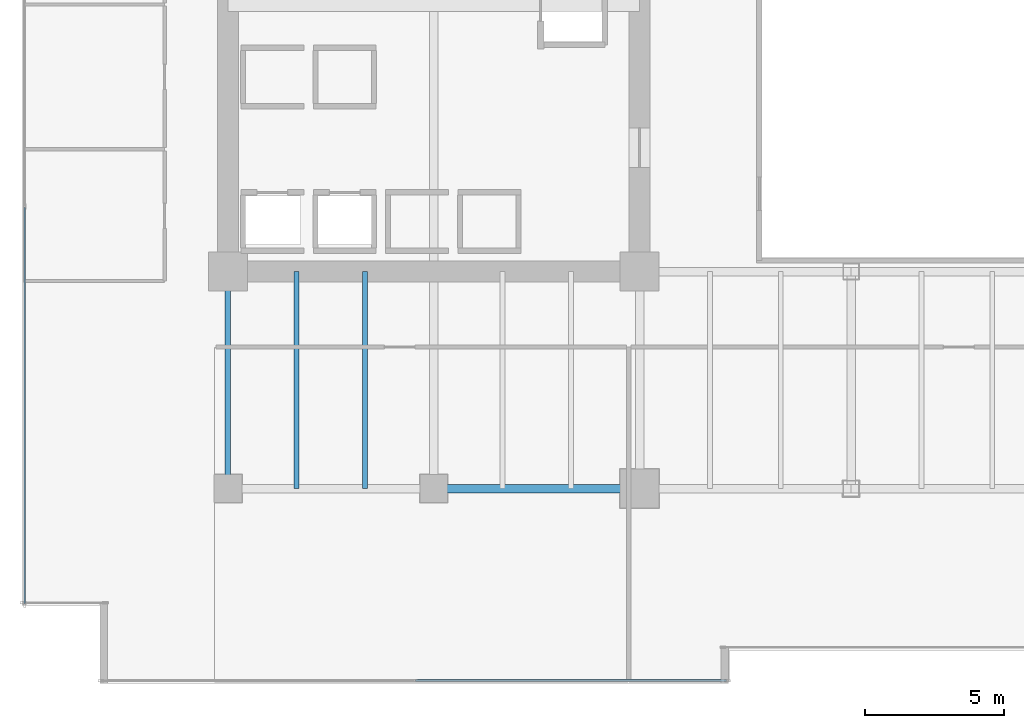
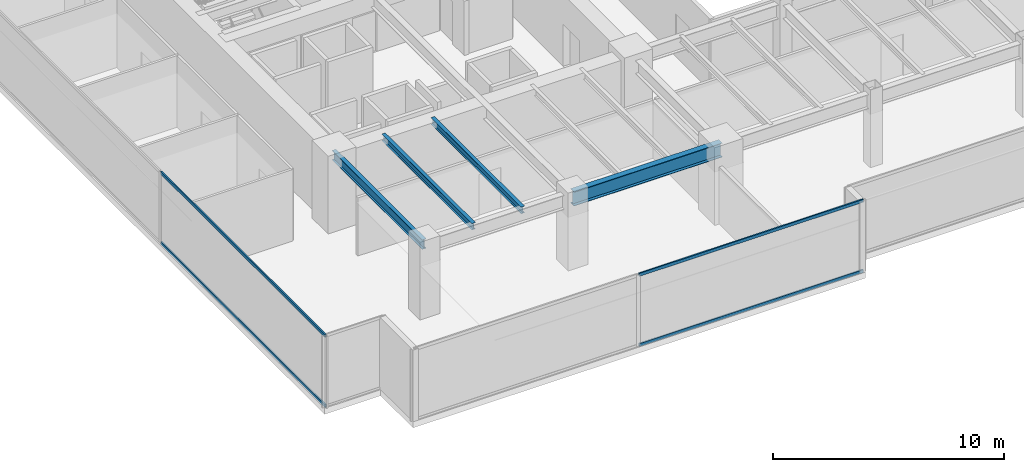
# One storey, part 3 of 36: 4 beams, 4 members, 2 elements without a shape of their own.
"""IFC4 building model written with IfcOpenShell, lengths in metres."""

from ifc_helpers import new_model, si_unit, direction, frame, origin, origin_2d, place, context, subcontext, project, spatial, hollow_rectangle, i_section, extrude, source, transform, mapped, material, layer, layer_set, material_profile, profile_set, type_object, type_shapes, element, aggregate, save


model = new_model("IFC4")

# Units and contexts
model_context = context("Model", 3, precision=1e-05, world=origin(), true_north=direction((0.0, 1.0)))
body_context = subcontext(model_context, "Body", "Model", "MODEL_VIEW")
ifc_project = project(units=[si_unit("LENGTHUNIT", "METRE"), si_unit("AREAUNIT", "SQUARE_METRE"), si_unit("VOLUMEUNIT", "CUBIC_METRE"), si_unit("PLANEANGLEUNIT", "RADIAN"), si_unit("MASSUNIT", "GRAM", prefix="KILO")], contexts=[model_context])

# Site, building, storey
site_placement = place(None, origin())
site = spatial("IfcSite", under=ifc_project, at=site_placement, CompositionType="ELEMENT")
building_placement = place(site_placement, origin())
building = spatial("IfcBuilding", under=site, at=building_placement, Name="Haelvirn Gate Laboratories", CompositionType="ELEMENT")
storey_placement = place(building_placement, frame((0.0, 0.0, 53.89990234375)))
storey = spatial("IfcBuildingStorey", under=building, at=storey_placement, Name="L13", CompositionType="ELEMENT", Elevation=53.89990234375)

# Beams
ifc_material_1 = material(Name="Steel SM355", Category="steel")
ifc_material_profile_1 = material_profile(ifc_material_1, i_section(OverallWidth=0.300048828125, OverallDepth=0.75, WebThickness=0.013916015625, FlangeThickness=0.02392578125, at=origin_2d()), Name="H-750x300x14x24")
ifc_profile_set_1 = profile_set([ifc_material_profile_1], Name="Steel SM355")
beam_type_1 = type_object("IfcBeamType", Name="BM-G-750", PredefinedType="BEAM", material=ifc_profile_set_1)
shared_shape_1 = source(origin(), body_context, "Body", "SweptSolid", [
    extrude(i_section(OverallWidth=0.300048828125, OverallDepth=0.75, WebThickness=0.013916015625, FlangeThickness=0.02392578125, at=origin_2d()), origin(), (0.0, 0.0, 1.0), 7.39990234375),
])
type_shapes(beam_type_1, [shared_shape_1])
beam_1_placement = place(storey_placement, frame((14.800048828125, 7.0, 3.405029296875), z_axis=(1.0, 0.0, 0.0), x_axis=(0.0, 1.0, 0.0)))
element("IfcBeam", 1, at=beam_1_placement, inside=storey, type_object=beam_type_1, Name="L13 Primary Girder Y7.0 (14.8-22.2)", PredefinedType="BEAM", context=body_context, shape_type="MappedRepresentation", body=[
    mapped(shared_shape_1, transform((0.0, 0.0, 0.0), scale=1.0)),
])
ifc_material_profile_2 = material_profile(ifc_material_1, i_section(OverallWidth=0.199951171875, OverallDepth=0.5, WebThickness=0.010009765625, FlangeThickness=0.01611328125, at=origin_2d()), Name="H-500x200x10x16")
ifc_profile_set_2 = profile_set([ifc_material_profile_2], Name="Steel SM355")
beam_type_2 = type_object("IfcBeamType", Name="BM-SP-500", PredefinedType="SPANDREL", material=ifc_profile_set_2)
shared_shape_2 = source(origin(), body_context, "Body", "SweptSolid", [
    extrude(i_section(OverallWidth=0.199951171875, OverallDepth=0.5, WebThickness=0.010009765625, FlangeThickness=0.01611328125, at=origin_2d()), origin(), (0.0, 0.0, 1.0), 7.800048828125),
])
type_shapes(beam_type_2, [shared_shape_2])
beam_2_placement = place(storey_placement, frame((7.39990234375, 7.0, 3.530029296875), z_axis=(0.0, 1.0, 0.0), x_axis=(-1.0, 0.0, 0.0)))
element("IfcBeam", 2, at=beam_2_placement, inside=storey, type_object=beam_type_2, Name="L13 Perimeter Spandrel X7.4 (7.0-14.8)", PredefinedType="SPANDREL", context=body_context, shape_type="MappedRepresentation", body=[
    mapped(shared_shape_2, transform((0.0, 0.0, 0.0), scale=1.0)),
])
ifc_material_profile_3 = material_profile(ifc_material_1, i_section(OverallWidth=0.175048828125, OverallDepth=0.35009765625, WebThickness=0.007080078125, FlangeThickness=0.010986328125, at=origin_2d()), Name="H-350x175x7x11")
ifc_profile_set_3 = profile_set([ifc_material_profile_3], Name="Steel SM355")
beam_type_3 = type_object("IfcBeamType", Name="BM-J-350", PredefinedType="JOIST", material=ifc_profile_set_3)
shared_shape_3 = source(origin(), body_context, "Body", "SweptSolid", [
    extrude(i_section(OverallWidth=0.175048828125, OverallDepth=0.35009765625, WebThickness=0.007080078125, FlangeThickness=0.010986328125, at=origin_2d()), origin(), (0.0, 0.0, 1.0), 7.800048828125),
])
type_shapes(beam_type_3, [shared_shape_3])
for number, where, z_axis, x_axis, name in (
    (3, (9.8701171875, 7.0, 3.60498046875), (0.0, 1.0, 0.0), (-1.0, 0.0, 0.0), "L13 Composite Lab Joist South X9.87"),
    (4, (12.330078125, 7.0, 3.60498046875), (0.0, 1.0, 0.0), (-1.0, 0.0, 0.0), "L13 Composite Lab Joist South X12.33"),
):
    element("IfcBeam", number, at=place(storey_placement, frame(where, z_axis=z_axis, x_axis=x_axis)), inside=storey, type_object=beam_type_3, Name=name, PredefinedType="JOIST", context=body_context, shape_type="MappedRepresentation", body=[
        mapped(shared_shape_3, transform((0.0, 0.0, 0.0), scale=1.0)),
    ])

# Curtain wall, members
ifc_material_2 = material(Name="Anodised bronze unitised aluminium & triple low-E glass", Category="aluminium")
ifc_layer = layer(ifc_material_2, 0.18408203125, Name="CW-SYS-2")
ifc_layer_set = layer_set([ifc_layer], Name="Anodised bronze unitised aluminium & triple low-E glass")
curtain_wall_type = type_object("IfcCurtainWallType", Name="CW-SYS-2", PredefinedType="NOTDEFINED", material=ifc_layer_set)
curtain_wall_1_placement = place(storey_placement, origin())
curtain_wall_1 = element("IfcCurtainWall", 5, at=curtain_wall_1_placement, inside=storey, type_object=curtain_wall_type, Name="L13 Unitised Curtain Wall CW-L13-P0-E00-1", PredefinedType="NOTDEFINED")
ifc_material_3 = material(Name="Extruded aluminium 6063-T6 (anodised bronze)", Category="aluminium")
ifc_material_profile_4 = material_profile(ifc_material_3, hollow_rectangle(XDim=0.070068359375, YDim=0.159912109375, WallThickness=0.0048828125, at=origin_2d()), Name="CWT-160x70x5")
ifc_profile_set_4 = profile_set([ifc_material_profile_4], Name="Extruded aluminium 6063-T6 (anodised bronze)")
member_type = type_object("IfcMemberType", Name="CWT-T160", PredefinedType="USERDEFINED", material=ifc_profile_set_4)
shared_shape_4 = source(origin(), body_context, "Body", "SweptSolid", [
    extrude(hollow_rectangle(XDim=0.070068359375, YDim=0.159912109375, WallThickness=0.0048828125, at=origin_2d()), origin(), (0.0, 0.0, 1.0), 11.1875),
])
member_1_placement = place(storey_placement, frame((14.137451171875, 0.10009765625, 0.03515625), z_axis=(1.0, 0.0, 0.0), x_axis=(0.0, 1.0, 0.0)))
member_1 = element("IfcMember", 6, at=member_1_placement, type_object=member_type, Name="CW2 transom 2.1", ObjectType="TRANSOM", PredefinedType="USERDEFINED", context=body_context, shape_type="MappedRepresentation", body=[
    mapped(shared_shape_4, transform((0.0, 0.0, 0.0), scale=1.0)),
])
member_2_placement = place(storey_placement, frame((14.137451171875, 0.10009765625, 3.7451171875), z_axis=(1.0, 0.0, 0.0), x_axis=(0.0, 1.0, 0.0)))
member_2 = element("IfcMember", 7, at=member_2_placement, type_object=member_type, Name="CW2 transom 2.2", ObjectType="TRANSOM", PredefinedType="USERDEFINED", context=body_context, shape_type="MappedRepresentation", body=[
    mapped(shared_shape_4, transform((0.0, 0.0, 0.0), scale=1.0)),
])
aggregate(curtain_wall_1, [member_1, member_2])

curtain_wall_2_placement = place(storey_placement, origin())
curtain_wall_2 = element("IfcCurtainWall", 8, at=curtain_wall_2_placement, inside=storey, type_object=curtain_wall_type, Name="L13 Unitised Curtain Wall CW-L13-P0-E17", PredefinedType="NOTDEFINED")
shared_shape_5 = source(origin(), body_context, "Body", "SweptSolid", [
    extrude(hollow_rectangle(XDim=0.070068359375, YDim=0.159912109375, WallThickness=0.0048828125, at=origin_2d()), origin(), (0.0, 0.0, 1.0), 14.220947265625),
])
type_shapes(member_type, [shared_shape_4, shared_shape_5])
member_3_placement = place(storey_placement, frame((0.10009765625, 17.095947265625, 0.03515625), z_axis=(0.0, -1.0, 0.0), x_axis=(1.0, 0.0, 0.0)))
member_3 = element("IfcMember", 9, at=member_3_placement, type_object=member_type, Name="CW2 transom 3.1", ObjectType="TRANSOM", PredefinedType="USERDEFINED", context=body_context, shape_type="MappedRepresentation", body=[
    mapped(shared_shape_5, transform((0.0, 0.0, 0.0), scale=1.0)),
])
member_4_placement = place(storey_placement, frame((0.10009765625, 17.095947265625, 3.7451171875), z_axis=(0.0, -1.0, 0.0), x_axis=(1.0, 0.0, 0.0)))
member_4 = element("IfcMember", 10, at=member_4_placement, type_object=member_type, Name="CW2 transom 3.2", ObjectType="TRANSOM", PredefinedType="USERDEFINED", context=body_context, shape_type="MappedRepresentation", body=[
    mapped(shared_shape_5, transform((0.0, 0.0, 0.0), scale=1.0)),
])
aggregate(curtain_wall_2, [member_3, member_4])

save(model, "model.ifc")
